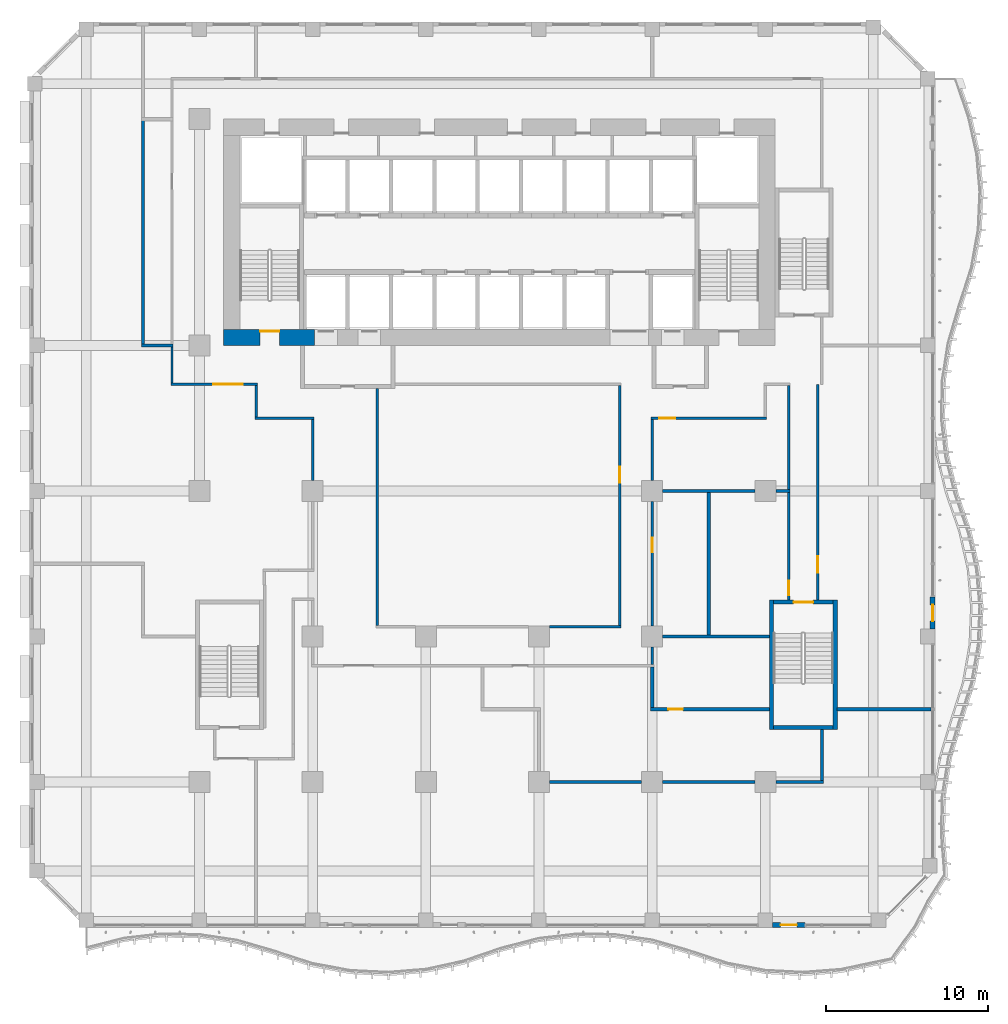
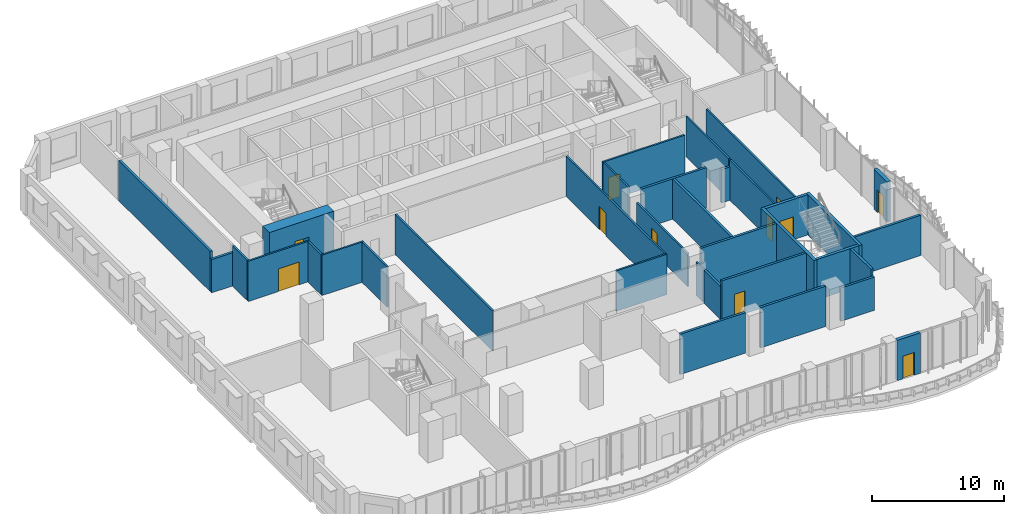
# One storey, part 11 of 24: 35 walls, 11 doors, 11 openings.
"""IFC4 building model written with IfcOpenShell, lengths in metres."""

from ifc_helpers import new_model, si_unit, direction, frame, frame_2d, origin, place, context, subcontext, project, spatial, rectangle, extrude, source, transform, mapped, material, layer, layer_set, type_object, element, fill, save


model = new_model("IFC4")

# Units and contexts
model_context = context("Model", 3, precision=1e-05, world=origin(), true_north=direction((0.0, 1.0)))
body_context = subcontext(model_context, "Body", "Model", "MODEL_VIEW")
ifc_project = project(units=[si_unit("LENGTHUNIT", "METRE"), si_unit("AREAUNIT", "SQUARE_METRE"), si_unit("VOLUMEUNIT", "CUBIC_METRE"), si_unit("PLANEANGLEUNIT", "RADIAN"), si_unit("MASSUNIT", "GRAM", prefix="KILO")], contexts=[model_context])

# Site, building, storey
site_placement = place(None, origin())
site = spatial("IfcSite", under=ifc_project, at=site_placement, CompositionType="ELEMENT")
building_placement = place(site_placement, origin())
building = spatial("IfcBuilding", under=site, at=building_placement, Name="Kilnfold Tower and Market Hall", CompositionType="ELEMENT")
storey_placement = place(building_placement, frame((0.0, 0.0, 35.0)))
storey = spatial("IfcBuildingStorey", under=building, at=storey_placement, Name="L07", CompositionType="ELEMENT", Elevation=35.0)

# Walls
ifc_material_1 = material(Name="Gypsum board on steel studs", Category="steel")
ifc_layer_1 = layer(ifc_material_1, 0.14990234375)
ifc_layer_set_1 = layer_set([ifc_layer_1], Name="Gypsum board on steel studs")
wall_type_1 = type_object("IfcWallType", Name="WALL CORRIDOR 150", PredefinedType="PARTITIONING", material=ifc_layer_set_1)
wall_1_placement = place(storey_placement, frame((-10.5, -0.35009765625, 0.0), z_axis=(0.0, 0.0, 1.0), x_axis=(0.0, 1.0, 0.0)))
element("IfcWall", 1, at=wall_1_placement, inside=storey, type_object=wall_type_1, Name="Partition LY07.4", PredefinedType="PARTITIONING", context=body_context, shape_type="SweptSolid", body=[
    extrude(rectangle(XDim=3.775146484375, YDim=0.14990234375, at=frame_2d((1.8876953125, 0.0))), origin(), (0.0, 0.0, 1.0), 3.719970703125),
])
wall_2_placement = place(storey_placement, frame((-14.074951171875, 3.5, 0.0), z_axis=(0.0, 0.0, 1.0), x_axis=(1.0, 0.0, 0.0)))
element("IfcWall", 2, at=wall_2_placement, inside=storey, type_object=wall_type_1, Name="Partition LY07.5", PredefinedType="PARTITIONING", context=body_context, shape_type="SweptSolid", body=[
    extrude(rectangle(XDim=3.64990234375, YDim=0.14990234375, at=frame_2d((1.824951171875, 0.0))), origin(), (0.0, 0.0, 1.0), 3.719970703125),
])
wall_3_placement = place(storey_placement, frame((-14.0, 5.52490234375, 0.0), z_axis=(0.0, 0.0, 1.0), x_axis=(0.0, -1.0, 0.0)))
element("IfcWall", 3, at=wall_3_placement, inside=storey, type_object=wall_type_1, Name="Partition LY07.6", PredefinedType="PARTITIONING", context=body_context, shape_type="SweptSolid", body=[
    extrude(rectangle(XDim=1.949951171875, YDim=0.14990234375, at=frame_2d((0.97509765625, 0.0))), origin(), (0.0, 0.0, 1.0), 3.719970703125),
])

# Wall, opening, door
wall_4_placement = place(storey_placement, frame((-19.27490234375, 5.60009765625, 0.0), z_axis=(0.0, 0.0, 1.0), x_axis=(1.0, 0.0, 0.0)))
wall_4 = element("IfcWall", 4, at=wall_4_placement, inside=storey, type_object=wall_type_1, Name="Partition LY07.7", PredefinedType="PARTITIONING", context=body_context, shape_type="SweptSolid", body=[
    extrude(rectangle(XDim=5.349853515625, YDim=0.14990234375, at=frame_2d((2.6748046875, 0.0))), origin(), (0.0, 0.0, 1.0), 3.719970703125),
])
opening_1_placement = place(wall_4_placement, frame((2.638916015625, 0.0, 0.0)))
opening_1 = element("IfcOpeningElement", 5, at=opening_1_placement, cuts=wall_4, Name="Opening D5", PredefinedType="OPENING", context=body_context, shape_type="SweptSolid", body=[
    extrude(rectangle(XDim=1.800048828125, YDim=2.10009765625, at=frame_2d((0.89990234375, 1.050048828125))), frame((0.0, 0.0849609375, 0.0), z_axis=(0.0, -1.0, 0.0), x_axis=(1.0, 0.0, 0.0)), (0.0, 0.0, 1.0), 0.169921875),
])
ifc_material_2 = material(Name="Timber veneer door leaf in steel frame", Category="steel")
door_type_1 = type_object("IfcDoorType", Name="DOOR DOUBLE 1800 X2100", OperationType="NOTDEFINED", PredefinedType="DOOR", material=ifc_material_2)
door_1_placement = place(opening_1_placement, origin())
door_1 = element("IfcDoor", 6, at=door_1_placement, inside=storey, type_object=door_type_1, Name="Door D5", OperationType="DOUBLE_DOOR_SINGLE_SWING", OverallHeight=2.10009765625, OverallWidth=1.800048828125, PredefinedType="DOOR", context=body_context, shape_type="SweptSolid", body=[
    extrude(rectangle(XDim=1.800048828125, YDim=2.10009765625, at=frame_2d((0.89990234375, 1.050048828125))), frame((0.0, 0.02490234375, 0.0), z_axis=(0.0, -1.0, 0.0), x_axis=(1.0, 0.0, 0.0)), (0.0, 0.0, 1.0), 0.050048828125),
])
fill(opening_1, door_1)

# Walls
wall_5_placement = place(storey_placement, frame((-19.199951171875, 5.675048828125, 0.0), z_axis=(0.0, 0.0, 1.0), x_axis=(0.0, 1.0, 0.0)))
element("IfcWall", 7, at=wall_5_placement, inside=storey, type_object=wall_type_1, Name="Partition LY07.8", PredefinedType="PARTITIONING", context=body_context, shape_type="SweptSolid", body=[
    extrude(rectangle(XDim=2.23486328125, YDim=0.14990234375, at=frame_2d((1.117431640625, 0.0))), origin(), (0.0, 0.0, 1.0), 3.719970703125),
])
wall_6_placement = place(storey_placement, frame((10.5, -11.72509765625, 0.0), z_axis=(0.0, 0.0, 1.0), x_axis=(0.0, 1.0, 0.0)))
element("IfcWall", 8, at=wall_6_placement, inside=storey, type_object=wall_type_1, Name="Partition LY07.20", PredefinedType="PARTITIONING", context=body_context, shape_type="SweptSolid", body=[
    extrude(rectangle(XDim=1.0751953125, YDim=0.14990234375, at=frame_2d((0.53759765625, 0.0))), origin(), (0.0, 0.0, 1.0), 3.070068359375),
])

# Wall, opening, door
wall_7_placement = place(storey_placement, frame((10.5, -9.35009765625, 0.0), z_axis=(0.0, 0.0, 1.0), x_axis=(0.0, 1.0, 0.0)))
wall_7 = element("IfcWall", 9, at=wall_7_placement, inside=storey, type_object=wall_type_1, Name="Partition LY07.21", PredefinedType="PARTITIONING", context=body_context, shape_type="SweptSolid", body=[
    extrude(rectangle(XDim=7.7001953125, YDim=0.14990234375, at=frame_2d((3.85009765625, 0.0))), origin(), (0.0, 0.0, 1.0), 3.070068359375),
])
opening_2_placement = place(wall_7_placement, frame((4.568115234375, 0.0, 0.0)))
opening_2 = element("IfcOpeningElement", 10, at=opening_2_placement, cuts=wall_7, Name="Opening D3", PredefinedType="OPENING", context=body_context, shape_type="SweptSolid", body=[
    extrude(rectangle(XDim=0.89990234375, YDim=2.10009765625, at=frame_2d((0.449951171875, 1.050048828125))), frame((0.0, 0.0849609375, 0.0), z_axis=(0.0, -1.0, 0.0), x_axis=(1.0, 0.0, 0.0)), (0.0, 0.0, 1.0), 0.169921875),
])
ifc_material_3 = material(Name="Timber veneer door leaf in steel frame", Category="steel")
door_type_2 = type_object("IfcDoorType", Name="DOOR WC 900 X2100", OperationType="NOTDEFINED", PredefinedType="DOOR", material=ifc_material_3)
door_2_placement = place(opening_2_placement, origin())
door_2 = element("IfcDoor", 11, at=door_2_placement, inside=storey, type_object=door_type_2, Name="Door D3", OperationType="SINGLE_SWING_RIGHT", OverallHeight=2.10009765625, OverallWidth=0.89990234375, PredefinedType="DOOR", context=body_context, shape_type="SweptSolid", body=[
    extrude(rectangle(XDim=0.89990234375, YDim=2.10009765625, at=frame_2d((0.449951171875, 1.050048828125))), frame((0.0, 0.02490234375, 0.0), z_axis=(0.0, -1.0, 0.0), x_axis=(1.0, 0.0, 0.0)), (0.0, 0.0, 1.0), 0.050048828125),
])
fill(opening_2, door_2)

wall_8_placement = place(storey_placement, frame((18.949951171875, -7.75, 0.0), z_axis=(0.0, 0.0, 1.0), x_axis=(0.0, 1.0, 0.0)))
wall_8 = element("IfcWall", 12, at=wall_8_placement, inside=storey, type_object=wall_type_1, Name="Partition LY07.22", PredefinedType="PARTITIONING", context=body_context, shape_type="SweptSolid", body=[
    extrude(rectangle(XDim=6.659912109375, YDim=0.14990234375, at=frame_2d((3.330078125, 0.0))), origin(), (0.0, 0.0, 1.0), 3.719970703125),
])
opening_3_placement = place(wall_8_placement, frame((0.301025390625, 0.0, 0.0)))
opening_3 = element("IfcOpeningElement", 13, at=opening_3_placement, cuts=wall_8, Name="Opening D2", PredefinedType="OPENING", context=body_context, shape_type="SweptSolid", body=[
    extrude(rectangle(XDim=0.89990234375, YDim=2.10009765625, at=frame_2d((0.449951171875, 1.050048828125))), frame((0.0, 0.0849609375, 0.0), z_axis=(0.0, -1.0, 0.0), x_axis=(1.0, 0.0, 0.0)), (0.0, 0.0, 1.0), 0.169921875),
])
ifc_material_4 = material(Name="Timber veneer door leaf in steel frame", Category="steel")
door_type_3 = type_object("IfcDoorType", Name="DOOR ROOM 900 X2100", OperationType="NOTDEFINED", PredefinedType="DOOR", material=ifc_material_4)
door_3_placement = place(opening_3_placement, origin())
door_3 = element("IfcDoor", 14, at=door_3_placement, inside=storey, type_object=door_type_3, Name="Door D2", OperationType="SINGLE_SWING_LEFT", OverallHeight=2.10009765625, OverallWidth=0.89990234375, PredefinedType="DOOR", context=body_context, shape_type="SweptSolid", body=[
    extrude(rectangle(XDim=0.89990234375, YDim=2.10009765625, at=frame_2d((0.449951171875, 1.050048828125))), frame((0.0, 0.02490234375, 0.0), z_axis=(0.0, -1.0, 0.0), x_axis=(1.0, 0.0, 0.0)), (0.0, 0.0, 1.0), 0.050048828125),
])
fill(opening_3, door_3)

# Wall
wall_9_placement = place(storey_placement, frame((18.949951171875, -0.909912109375, 0.0), z_axis=(0.0, 0.0, 1.0), x_axis=(0.0, 1.0, 0.0)))
element("IfcWall", 15, at=wall_9_placement, inside=storey, type_object=wall_type_1, Name="Partition LY07.23", PredefinedType="PARTITIONING", context=body_context, shape_type="SweptSolid", body=[
    extrude(rectangle(XDim=6.434814453125, YDim=0.14990234375, at=frame_2d((3.21728515625, 0.0))), origin(), (0.0, 0.0, 1.0), 3.719970703125),
])

# Wall, opening, door
wall_10_placement = place(storey_placement, frame((10.425048828125, 3.5, 0.0), z_axis=(0.0, 0.0, 1.0), x_axis=(1.0, 0.0, 0.0)))
wall_10 = element("IfcWall", 16, at=wall_10_placement, inside=storey, type_object=wall_type_1, Name="Partition LY07.26", PredefinedType="PARTITIONING", context=body_context, shape_type="SweptSolid", body=[
    extrude(rectangle(XDim=7.14990234375, YDim=0.14990234375, at=frame_2d((3.574951171875, 0.0))), origin(), (0.0, 0.0, 1.0), 3.719970703125),
])
opening_4_placement = place(wall_10_placement, frame((0.5029296875, 0.0, 0.0)))
opening_4 = element("IfcOpeningElement", 17, at=opening_4_placement, cuts=wall_10, Name="Opening D1", PredefinedType="OPENING", context=body_context, shape_type="SweptSolid", body=[
    extrude(rectangle(XDim=1.0, YDim=2.10009765625, at=frame_2d((0.5, 1.050048828125))), frame((0.0, 0.0849609375, 0.0), z_axis=(0.0, -1.0, 0.0), x_axis=(1.0, 0.0, 0.0)), (0.0, 0.0, 1.0), 0.169921875),
])
ifc_material_5 = material(Name="Timber veneer door leaf in steel frame", Category="steel")
door_type_4 = type_object("IfcDoorType", Name="DOOR ENTRY 1000 X2100", OperationType="NOTDEFINED", PredefinedType="DOOR", material=ifc_material_5)
door_4_placement = place(opening_4_placement, origin())
door_4 = element("IfcDoor", 18, at=door_4_placement, inside=storey, type_object=door_type_4, Name="Door D1", OperationType="SINGLE_SWING_RIGHT", OverallHeight=2.10009765625, OverallWidth=1.0, PredefinedType="DOOR", context=body_context, shape_type="SweptSolid", body=[
    extrude(rectangle(XDim=1.0, YDim=2.10009765625, at=frame_2d((0.5, 1.050048828125))), frame((0.0, 0.02490234375, 0.0), z_axis=(0.0, -1.0, 0.0), x_axis=(1.0, 0.0, 0.0)), (0.0, 0.0, 1.0), 0.050048828125),
])
fill(opening_4, door_4)

# Wall
wall_11_placement = place(storey_placement, frame((10.5, -0.35009765625, 0.0), z_axis=(0.0, 0.0, 1.0), x_axis=(0.0, 1.0, 0.0)))
element("IfcWall", 19, at=wall_11_placement, inside=storey, type_object=wall_type_1, Name="Partition LY07.27", PredefinedType="PARTITIONING", context=body_context, shape_type="SweptSolid", body=[
    extrude(rectangle(XDim=3.775146484375, YDim=0.14990234375, at=frame_2d((1.8876953125, 0.0))), origin(), (0.0, 0.0, 1.0), 3.719970703125),
])

# Wall, opening, door
wall_12_placement = place(storey_placement, frame((20.75, -7.75, 0.0), z_axis=(0.0, 0.0, 1.0), x_axis=(0.0, 1.0, 0.0)))
wall_12 = element("IfcWall", 20, at=wall_12_placement, inside=storey, type_object=wall_type_1, Name="Partition LY07.29", PredefinedType="PARTITIONING", context=body_context, shape_type="SweptSolid", body=[
    extrude(rectangle(XDim=13.35009765625, YDim=0.14990234375, at=frame_2d((6.675048828125, 0.0))), origin(), (0.0, 0.0, 1.0), 3.719970703125),
])
opening_5_placement = place(wall_12_placement, frame((1.7060546875, 0.0, 0.0)))
opening_5 = element("IfcOpeningElement", 21, at=opening_5_placement, cuts=wall_12, Name="Opening D1", PredefinedType="OPENING", context=body_context, shape_type="SweptSolid", body=[
    extrude(rectangle(XDim=1.0, YDim=2.10009765625, at=frame_2d((0.5, 1.050048828125))), frame((0.0, 0.0849609375, 0.0), z_axis=(0.0, -1.0, 0.0), x_axis=(1.0, 0.0, 0.0)), (0.0, 0.0, 1.0), 0.169921875),
])
door_5_placement = place(opening_5_placement, origin())
door_5 = element("IfcDoor", 22, at=door_5_placement, inside=storey, type_object=door_type_4, Name="Door D1", OperationType="SINGLE_SWING_RIGHT", OverallHeight=2.10009765625, OverallWidth=1.0, PredefinedType="DOOR", context=body_context, shape_type="SweptSolid", body=[
    extrude(rectangle(XDim=1.0, YDim=2.10009765625, at=frame_2d((0.5, 1.050048828125))), frame((0.0, 0.02490234375, 0.0), z_axis=(0.0, -1.0, 0.0), x_axis=(1.0, 0.0, 0.0)), (0.0, 0.0, 1.0), 0.050048828125),
])
fill(opening_5, door_5)

# Walls
wall_13_placement = place(storey_placement, frame((-6.5, -9.324951171875, 0.0), z_axis=(0.0, 0.0, 1.0), x_axis=(0.0, 1.0, 0.0)))
element("IfcWall", 23, at=wall_13_placement, inside=storey, type_object=wall_type_1, Name="Partition LY07.35", PredefinedType="PARTITIONING", context=body_context, shape_type="SweptSolid", body=[
    extrude(rectangle(XDim=14.675048828125, YDim=0.14990234375, at=frame_2d((7.33740234375, 0.0))), origin(), (0.0, 0.0, 1.0), 3.719970703125),
])
wall_14_placement = place(storey_placement, frame((4.14990234375, -9.39990234375, 0.0), z_axis=(0.0, 0.0, 1.0), x_axis=(1.0, 0.0, 0.0)))
element("IfcWall", 24, at=wall_14_placement, inside=storey, type_object=wall_type_1, Name="Partition LY07.38", PredefinedType="PARTITIONING", context=body_context, shape_type="SweptSolid", body=[
    extrude(rectangle(XDim=4.425048828125, YDim=0.14990234375, at=frame_2d((2.21240234375, 0.0))), origin(), (0.0, 0.0, 1.0), 3.719970703125),
])

# Wall, opening, door
wall_15_placement = place(storey_placement, frame((8.5, 5.52490234375, 0.0), z_axis=(0.0, 0.0, 1.0), x_axis=(0.0, -1.0, 0.0)))
wall_15 = element("IfcWall", 25, at=wall_15_placement, inside=storey, type_object=wall_type_1, Name="Partition LY07.39", PredefinedType="PARTITIONING", context=body_context, shape_type="SweptSolid", body=[
    extrude(rectangle(XDim=14.849853515625, YDim=0.14990234375, at=frame_2d((7.4248046875, 0.0))), origin(), (0.0, 0.0, 1.0), 3.719970703125),
])
opening_6_placement = place(wall_15_placement, frame((5.01806640625, 0.0, 0.0)))
opening_6 = element("IfcOpeningElement", 26, at=opening_6_placement, cuts=wall_15, Name="Opening D1", PredefinedType="OPENING", context=body_context, shape_type="SweptSolid", body=[
    extrude(rectangle(XDim=1.0, YDim=2.10009765625, at=frame_2d((0.5, 1.050048828125))), frame((0.0, 0.0849609375, 0.0), z_axis=(0.0, -1.0, 0.0), x_axis=(1.0, 0.0, 0.0)), (0.0, 0.0, 1.0), 0.169921875),
])
door_6_placement = place(opening_6_placement, origin())
door_6 = element("IfcDoor", 27, at=door_6_placement, inside=storey, type_object=door_type_4, Name="Door D1", OperationType="SINGLE_SWING_RIGHT", OverallHeight=2.10009765625, OverallWidth=1.0, PredefinedType="DOOR", context=body_context, shape_type="SweptSolid", body=[
    extrude(rectangle(XDim=1.0, YDim=2.10009765625, at=frame_2d((0.5, 1.050048828125))), frame((0.0, 0.02490234375, 0.0), z_axis=(0.0, -1.0, 0.0), x_axis=(1.0, 0.0, 0.0)), (0.0, 0.0, 1.0), 0.050048828125),
])
fill(opening_6, door_6)

# Walls
ifc_material_6 = material(Name="Gypsum board on steel studs", Category="steel")
ifc_layer_2 = layer(ifc_material_6, 0.199951171875)
ifc_layer_set_2 = layer_set([ifc_layer_2], Name="Gypsum board on steel studs")
wall_type_2 = type_object("IfcWallType", Name="WALL PARTY 200", PredefinedType="PARTITIONING", material=ifc_layer_set_2)
wall_16_placement = place(storey_placement, frame((-21.0, 8.10009765625, 0.0), z_axis=(0.0, 0.0, 1.0), x_axis=(0.0, 1.0, 0.0)))
element("IfcWall", 28, at=wall_16_placement, inside=storey, type_object=wall_type_2, Name="Partition LY07.45", PredefinedType="PARTITIONING", context=body_context, shape_type="SweptSolid", body=[
    extrude(rectangle(XDim=13.809814453125, YDim=0.199951171875, at=frame_2d((6.90478515625, 0.0))), origin(), (0.0, 0.0, 1.0), 3.719970703125),
])
wall_17_placement = place(storey_placement, frame((-21.10009765625, 8.0, 0.0), z_axis=(0.0, 0.0, 1.0), x_axis=(1.0, 0.0, 0.0)))
element("IfcWall", 29, at=wall_17_placement, inside=storey, type_object=wall_type_2, Name="Partition LY07.46", PredefinedType="PARTITIONING", context=body_context, shape_type="SweptSolid", body=[
    extrude(rectangle(XDim=1.97412109375, YDim=0.199951171875, at=frame_2d((0.987060546875, 0.0))), origin(), (0.0, 0.0, 1.0), 3.070068359375),
])
for number, where, z_axis, x_axis, name in (
    (30, (4.14990234375, -19.0, 0.0), (0.0, 0.0, 1.0), (1.0, 0.0, 0.0), "Partition LY07.51"),
    (31, (11.14990234375, -19.0, 0.0), (0.0, 0.0, 1.0), (1.0, 0.0, 0.0), "Partition LY07.52"),
):
    element("IfcWall", number, at=place(storey_placement, frame(where, z_axis=z_axis, x_axis=x_axis)), inside=storey, type_object=wall_type_2, Name=name, PredefinedType="PARTITIONING", context=body_context, shape_type="SweptSolid", body=[
        extrude(rectangle(XDim=5.7001953125, YDim=0.199951171875, at=frame_2d((2.85009765625, 0.0))), origin(), (0.0, 0.0, 1.0), 3.719970703125),
    ])
wall_18_placement = place(storey_placement, frame((18.14990234375, -19.0, 0.0), z_axis=(0.0, 0.0, 1.0), x_axis=(1.0, 0.0, 0.0)))
element("IfcWall", 32, at=wall_18_placement, inside=storey, type_object=wall_type_2, Name="Partition LY07.53", PredefinedType="PARTITIONING", context=body_context, shape_type="SweptSolid", body=[
    extrude(rectangle(XDim=2.9501953125, YDim=0.199951171875, at=frame_2d((1.47509765625, 0.0))), origin(), (0.0, 0.0, 1.0), 3.070068359375),
])
wall_19_placement = place(storey_placement, frame((21.0, -15.75, 0.0), z_axis=(0.0, 0.0, 1.0), x_axis=(0.0, -1.0, 0.0)))
element("IfcWall", 33, at=wall_19_placement, inside=storey, type_object=wall_type_2, Name="Partition LY07.54", PredefinedType="PARTITIONING", context=body_context, shape_type="SweptSolid", body=[
    extrude(rectangle(XDim=3.14990234375, YDim=0.199951171875, at=frame_2d((1.574951171875, 0.0))), origin(), (0.0, 0.0, 1.0), 3.719970703125),
])
wall_20_placement = place(storey_placement, frame((21.949951171875, -14.5, 0.0), z_axis=(0.0, 0.0, 1.0), x_axis=(1.0, 0.0, 0.0)))
element("IfcWall", 34, at=wall_20_placement, inside=storey, type_object=wall_type_2, Name="Partition LY07.55", PredefinedType="PARTITIONING", context=body_context, shape_type="SweptSolid", body=[
    extrude(rectangle(XDim=5.800048828125, YDim=0.199951171875, at=frame_2d((2.89990234375, 0.0))), origin(), (0.0, 0.0, 1.0), 3.719970703125),
])
wall_21_placement = place(storey_placement, frame((10.5, -14.39990234375, 0.0), z_axis=(0.0, 0.0, 1.0), x_axis=(0.0, 1.0, 0.0)))
element("IfcWall", 35, at=wall_21_placement, inside=storey, type_object=wall_type_2, Name="Partition LY07.56", PredefinedType="PARTITIONING", context=body_context, shape_type="SweptSolid", body=[
    extrude(rectangle(XDim=2.52392578125, YDim=0.199951171875, at=frame_2d((1.261962890625, 0.0))), origin(), (0.0, 0.0, 1.0), 3.070068359375),
])

# Wall, opening, door
wall_22_placement = place(storey_placement, frame((10.39990234375, -14.5, 0.0), z_axis=(0.0, 0.0, 1.0), x_axis=(1.0, 0.0, 0.0)))
wall_22 = element("IfcWall", 36, at=wall_22_placement, inside=storey, type_object=wall_type_2, Name="Partition LY07.57", PredefinedType="PARTITIONING", context=body_context, shape_type="SweptSolid", body=[
    extrude(rectangle(XDim=7.35009765625, YDim=0.199951171875, at=frame_2d((3.675048828125, 0.0))), origin(), (0.0, 0.0, 1.0), 3.719970703125),
])
opening_7_placement = place(wall_22_placement, frame((1.10791015625, 0.0, 0.0)))
opening_7 = element("IfcOpeningElement", 37, at=opening_7_placement, cuts=wall_22, Name="Opening D2", PredefinedType="OPENING", context=body_context, shape_type="SweptSolid", body=[
    extrude(rectangle(XDim=0.89990234375, YDim=2.10009765625, at=frame_2d((0.449951171875, 1.050048828125))), frame((0.0, 0.10986328125, 0.0), z_axis=(0.0, -1.0, 0.0), x_axis=(1.0, 0.0, 0.0)), (0.0, 0.0, 1.0), 0.219970703125),
])
door_7_placement = place(opening_7_placement, origin())
door_7 = element("IfcDoor", 38, at=door_7_placement, inside=storey, type_object=door_type_3, Name="Door D2", OperationType="SINGLE_SWING_RIGHT", OverallHeight=2.10009765625, OverallWidth=0.89990234375, PredefinedType="DOOR", context=body_context, shape_type="SweptSolid", body=[
    extrude(rectangle(XDim=0.89990234375, YDim=2.10009765625, at=frame_2d((0.449951171875, 1.050048828125))), frame((0.0, 0.02490234375, 0.0), z_axis=(0.0, -1.0, 0.0), x_axis=(1.0, 0.0, 0.0)), (0.0, 0.0, 1.0), 0.050048828125),
])
fill(opening_7, door_7)

# Walls
wall_23_placement = place(storey_placement, frame((11.14990234375, -10.0, 0.0), z_axis=(0.0, 0.0, 1.0), x_axis=(1.0, 0.0, 0.0)))
element("IfcWall", 39, at=wall_23_placement, inside=storey, type_object=wall_type_2, Name="Partition LY07.58", PredefinedType="PARTITIONING", context=body_context, shape_type="SweptSolid", body=[
    extrude(rectangle(XDim=6.60009765625, YDim=0.199951171875, at=frame_2d((3.300048828125, 0.0))), origin(), (0.0, 0.0, 1.0), 3.719970703125),
])
wall_24_placement = place(storey_placement, frame((14.0, -9.89990234375, 0.0), z_axis=(0.0, 0.0, 1.0), x_axis=(0.0, 1.0, 0.0)))
element("IfcWall", 40, at=wall_24_placement, inside=storey, type_object=wall_type_2, Name="Partition LY07.59", PredefinedType="PARTITIONING", context=body_context, shape_type="SweptSolid", body=[
    extrude(rectangle(XDim=8.7998046875, YDim=0.199951171875, at=frame_2d((4.39990234375, 0.0))), origin(), (0.0, 0.0, 1.0), 3.719970703125),
])
wall_25_placement = place(storey_placement, frame((11.14990234375, -1.0, 0.0), z_axis=(0.0, 0.0, 1.0), x_axis=(1.0, 0.0, 0.0)))
element("IfcWall", 41, at=wall_25_placement, inside=storey, type_object=wall_type_2, Name="Partition LY07.60", PredefinedType="PARTITIONING", context=body_context, shape_type="SweptSolid", body=[
    extrude(rectangle(XDim=5.7001953125, YDim=0.199951171875, at=frame_2d((2.85009765625, 0.0))), origin(), (0.0, 0.0, 1.0), 3.719970703125),
])
wall_26_placement = place(storey_placement, frame((18.14990234375, -1.0, 0.0), z_axis=(0.0, 0.0, 1.0), x_axis=(1.0, 0.0, 0.0)))
element("IfcWall", 42, at=wall_26_placement, inside=storey, type_object=wall_type_2, Name="Partition LY07.61", PredefinedType="PARTITIONING", context=body_context, shape_type="SweptSolid", body=[
    extrude(rectangle(XDim=0.8740234375, YDim=0.199951171875, at=frame_2d((0.43701171875, 0.0))), origin(), (0.0, 0.0, 1.0), 3.070068359375),
])

# Wall, opening, door
ifc_material_7 = material(Name="Concrete C80", Category="concrete")
ifc_layer_3 = layer(ifc_material_7, 1.0)
ifc_layer_set_3 = layer_set([ifc_layer_3], Name="Concrete C80")
wall_type_3 = type_object("IfcWallType", Name="CORE WALL 1000 C80", PredefinedType="SHEAR", material=ifc_layer_set_3)
shared_shape_1 = source(origin(), body_context, "Body", "SweptSolid", [
    extrude(rectangle(XDim=5.6298828125, YDim=1.0, at=frame_2d((2.81494140625, 0.0))), origin(), (0.0, 0.0, 1.0), 3.719970703125),
])
wall_27_placement = place(storey_placement, frame((-16.0, 8.5, 0.0), z_axis=(0.0, 0.0, 1.0), x_axis=(1.0, 0.0, 0.0)))
wall_27 = element("IfcWall", 43, at=wall_27_placement, inside=storey, type_object=wall_type_3, Name="Core outer wall south", PredefinedType="SHEAR", context=body_context, shape_type="MappedRepresentation", body=[
    mapped(shared_shape_1, transform((0.0, 0.0, 0.0))),
])
opening_8_placement = place(wall_27_placement, frame((2.25, 0.0, 0.0)))
opening_8 = element("IfcOpeningElement", 44, at=opening_8_placement, cuts=wall_27, Name="Opening SD1", PredefinedType="OPENING", context=body_context, shape_type="SweptSolid", body=[
    extrude(rectangle(XDim=1.199951171875, YDim=2.10009765625, at=frame_2d((0.60009765625, 1.050048828125))), frame((0.0, 0.510009765625, 0.0), z_axis=(0.0, -1.0, 0.0), x_axis=(1.0, 0.0, 0.0)), (0.0, 0.0, 1.0), 1.02001953125),
])
ifc_material_8 = material(Name="Steel door set with fire-resisting leaf", Category="steel")
door_type_5 = type_object("IfcDoorType", Name="STAIR FLOOR DOOR 1200X2100", OperationType="NOTDEFINED", PredefinedType="DOOR", material=ifc_material_8)
door_8_placement = place(opening_8_placement, origin())
door_8 = element("IfcDoor", 45, at=door_8_placement, inside=storey, type_object=door_type_5, Name="Exit stair ST1 door", OperationType="DOUBLE_DOOR_SINGLE_SWING", OverallHeight=2.10009765625, OverallWidth=1.199951171875, PredefinedType="DOOR", context=body_context, shape_type="SweptSolid", body=[
    extrude(rectangle(XDim=1.199951171875, YDim=2.10009765625, at=frame_2d((0.60009765625, 1.050048828125))), frame((0.0, 0.40478515625, 0.0), z_axis=(0.0, -1.0, 0.0), x_axis=(1.0, 0.0, 0.0)), (0.0, 0.0, 1.0), 0.050048828125),
])
fill(opening_8, door_8)

# Wall
ifc_material_9 = material(Name="Concrete C80", Category="concrete")
ifc_layer_4 = layer(ifc_material_9, 0.25)
ifc_layer_set_4 = layer_set([ifc_layer_4], Name="Concrete C80")
wall_type_4 = type_object("IfcWallType", Name="CORE WALL 250 C80", PredefinedType="SHEAR", material=ifc_layer_set_4)
shared_shape_2 = source(origin(), body_context, "Body", "SweptSolid", [
    extrude(rectangle(XDim=3.699951171875, YDim=0.25, at=frame_2d((1.85009765625, 0.0))), origin(), (0.0, 0.0, 1.0), 3.719970703125),
])
wall_28_placement = place(storey_placement, frame((18.0, -15.625, 0.0), z_axis=(0.0, 0.0, 1.0), x_axis=(1.0, 0.0, 0.0)))
element("IfcWall", 46, at=wall_28_placement, inside=storey, type_object=wall_type_4, Name="Stair enclosure ST4", PredefinedType="SHEAR", context=body_context, shape_type="MappedRepresentation", body=[
    mapped(shared_shape_2, transform((0.0, 0.0, 0.0))),
])

# Wall, opening, door
wall_29_placement = place(storey_placement, frame((18.0, -7.875, 0.0), z_axis=(0.0, 0.0, 1.0), x_axis=(1.0, 0.0, 0.0)))
wall_29 = element("IfcWall", 47, at=wall_29_placement, inside=storey, type_object=wall_type_4, Name="Stair enclosure ST4", PredefinedType="SHEAR", context=body_context, shape_type="MappedRepresentation", body=[
    mapped(shared_shape_2, transform((0.0, 0.0, 0.0))),
])
opening_9_placement = place(wall_29_placement, frame((1.25, 0.0, 0.0)))
opening_9 = element("IfcOpeningElement", 48, at=opening_9_placement, cuts=wall_29, Name="Opening SD1", PredefinedType="OPENING", context=body_context, shape_type="SweptSolid", body=[
    extrude(rectangle(XDim=1.199951171875, YDim=2.10009765625, at=frame_2d((0.60009765625, 1.050048828125))), frame((0.0, 0.135009765625, 0.0), z_axis=(0.0, -1.0, 0.0), x_axis=(1.0, 0.0, 0.0)), (0.0, 0.0, 1.0), 0.27001953125),
])
door_9_placement = place(opening_9_placement, origin())
door_9 = element("IfcDoor", 49, at=door_9_placement, inside=storey, type_object=door_type_5, Name="Exit stair ST4 door", OperationType="DOUBLE_DOOR_SINGLE_SWING", OverallHeight=2.10009765625, OverallWidth=1.199951171875, PredefinedType="DOOR", context=body_context, shape_type="SweptSolid", body=[
    extrude(rectangle(XDim=1.199951171875, YDim=2.10009765625, at=frame_2d((0.60009765625, 1.050048828125))), frame((0.0, 0.02490234375, 0.0), z_axis=(0.0, -1.0, 0.0), x_axis=(1.0, 0.0, 0.0)), (0.0, 0.0, 1.0), 0.050048828125),
])
fill(opening_9, door_9)

# Walls
shared_shape_3 = source(origin(), body_context, "Body", "SweptSolid", [
    extrude(rectangle(XDim=8.0, YDim=0.25, at=frame_2d((4.0, 0.0))), origin(), (0.0, 0.0, 1.0), 3.719970703125),
])
for number, where, z_axis, x_axis, name in (
    (50, (17.875, -15.75, 0.0), (0.0, 0.0, 1.0), (0.0, 1.0, 0.0), "Stair enclosure ST4"),
    (51, (21.824951171875, -15.75, 0.0), (0.0, 0.0, 1.0), (0.0, 1.0, 0.0), "Stair enclosure ST4"),
):
    element("IfcWall", number, at=place(storey_placement, frame(where, z_axis=z_axis, x_axis=x_axis)), inside=storey, type_object=wall_type_4, Name=name, PredefinedType="SHEAR", context=body_context, shape_type="MappedRepresentation", body=[
        mapped(shared_shape_3, transform((0.0, 0.0, 0.0))),
    ])

# Wall, opening, door
ifc_material_10 = material(Name="Precast concrete C50/60", Category="concrete")
ifc_layer_5 = layer(ifc_material_10, 0.300048828125)
ifc_layer_set_5 = layer_set([ifc_layer_5], Name="Precast concrete C50/60")
wall_type_5 = type_object("IfcWallType", Name="PRECAST WALL 300", PredefinedType="SOLIDWALL", material=ifc_layer_set_5)
shared_shape_4 = source(origin(), body_context, "Body", "SweptSolid", [
    extrude(rectangle(XDim=2.0, YDim=0.300048828125, at=frame_2d((1.0, 0.0))), origin(), (0.0, 0.0, 1.0), 3.719970703125),
])
wall_30_placement = place(storey_placement, frame((17.949951171875, -27.85009765625, 0.0), z_axis=(0.0, 0.0, 1.0), x_axis=(1.0, 0.0, 0.0)))
wall_30 = element("IfcWall", 52, at=wall_30_placement, inside=storey, type_object=wall_type_5, Name="External wall L07 S", PredefinedType="SOLIDWALL", context=body_context, shape_type="MappedRepresentation", body=[
    mapped(shared_shape_4, transform((0.0, 0.0, 0.0))),
])
opening_10_placement = place(wall_30_placement, frame((0.5, 0.0, 0.0)))
opening_10 = element("IfcOpeningElement", 53, at=opening_10_placement, cuts=wall_30, Name="Opening BD1", PredefinedType="OPENING", context=body_context, shape_type="SweptSolid", body=[
    extrude(rectangle(XDim=1.0, YDim=2.10009765625, at=frame_2d((0.5, 1.050048828125))), frame((0.0, 0.16015625, 0.0), z_axis=(0.0, -1.0, 0.0), x_axis=(1.0, 0.0, 0.0)), (0.0, 0.0, 1.0), 0.320068359375),
])
ifc_material_11 = material(Name="Aluminium frame and double glazing", Category="aluminium")
door_type_6 = type_object("IfcDoorType", Name="BALCONY DOOR 1000X2100", OperationType="NOTDEFINED", PredefinedType="DOOR", material=ifc_material_11)
door_10_placement = place(opening_10_placement, origin())
door_10 = element("IfcDoor", 54, at=door_10_placement, inside=storey, type_object=door_type_6, Name="Balcony door BD1 L07 S-1", OperationType="SINGLE_SWING_LEFT", OverallHeight=2.10009765625, OverallWidth=1.0, PredefinedType="DOOR", context=body_context, shape_type="SweptSolid", body=[
    extrude(rectangle(XDim=1.0, YDim=2.10009765625, at=frame_2d((0.5, 1.050048828125))), frame((0.0, 0.02490234375, 0.0), z_axis=(0.0, -1.0, 0.0), x_axis=(1.0, 0.0, 0.0)), (0.0, 0.0, 1.0), 0.050048828125),
])
fill(opening_10, door_10)

wall_31_placement = place(storey_placement, frame((27.85009765625, -9.550048828125, 0.0), z_axis=(0.0, 0.0, 1.0), x_axis=(0.0, 1.0, 0.0)))
wall_31 = element("IfcWall", 55, at=wall_31_placement, inside=storey, type_object=wall_type_5, Name="External wall L07 E", PredefinedType="SOLIDWALL", context=body_context, shape_type="MappedRepresentation", body=[
    mapped(shared_shape_4, transform((0.0, 0.0, 0.0))),
])
opening_11_placement = place(wall_31_placement, frame((0.5, 0.0, 0.0)))
opening_11 = element("IfcOpeningElement", 56, at=opening_11_placement, cuts=wall_31, Name="Opening BD1", PredefinedType="OPENING", context=body_context, shape_type="SweptSolid", body=[
    extrude(rectangle(XDim=1.0, YDim=2.10009765625, at=frame_2d((0.5, 1.050048828125))), frame((0.0, 0.16015625, 0.0), z_axis=(0.0, -1.0, 0.0), x_axis=(1.0, 0.0, 0.0)), (0.0, 0.0, 1.0), 0.320068359375),
])
door_11_placement = place(opening_11_placement, origin())
door_11 = element("IfcDoor", 57, at=door_11_placement, inside=storey, type_object=door_type_6, Name="Balcony door BD1 L07 E-1", OperationType="SINGLE_SWING_LEFT", OverallHeight=2.10009765625, OverallWidth=1.0, PredefinedType="DOOR", context=body_context, shape_type="SweptSolid", body=[
    extrude(rectangle(XDim=1.0, YDim=2.10009765625, at=frame_2d((0.5, 1.050048828125))), frame((0.0, 0.02490234375, 0.0), z_axis=(0.0, -1.0, 0.0), x_axis=(1.0, 0.0, 0.0)), (0.0, 0.0, 1.0), 0.050048828125),
])
fill(opening_11, door_11)

save(model, "model.ifc")
